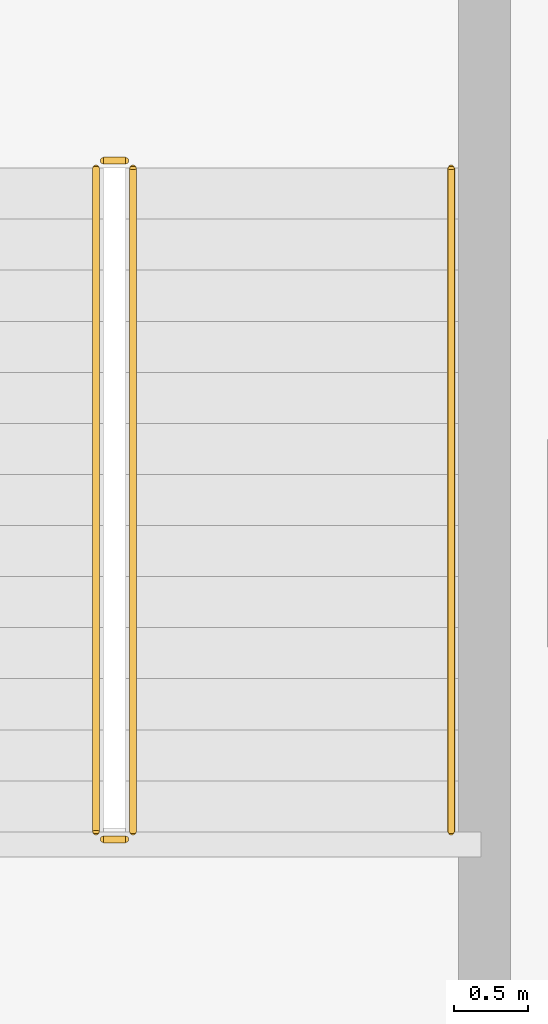
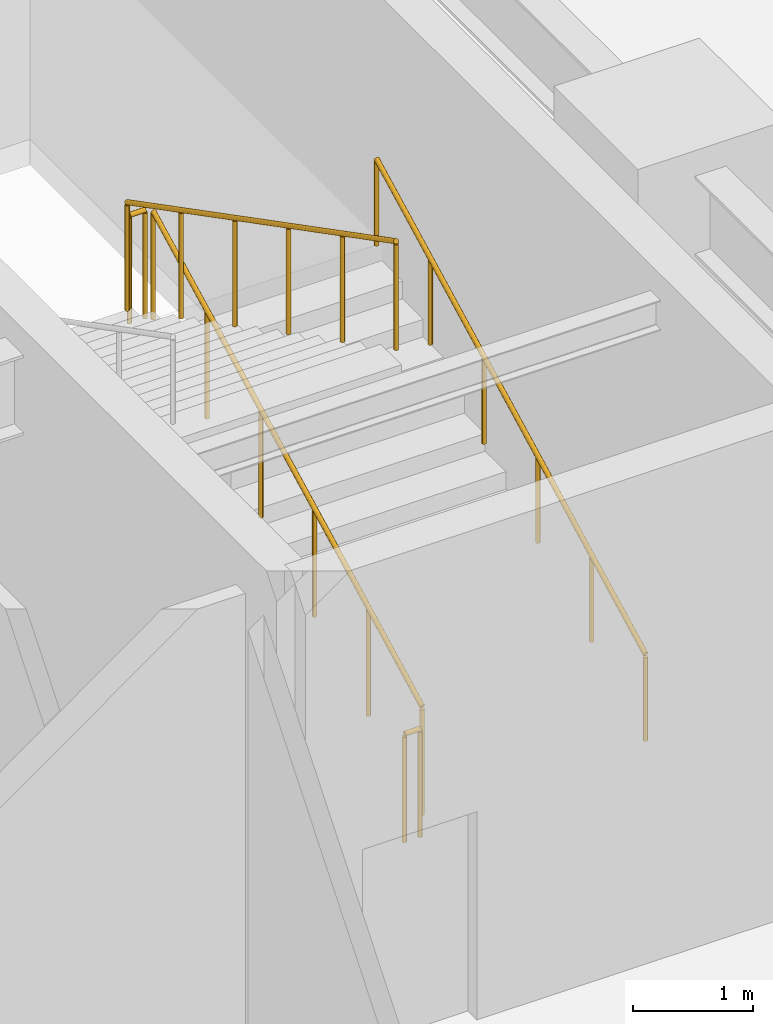
# One storey, part 35 of 39: 5 railings.
"""IFC4 building model written with IfcOpenShell, lengths in metres."""

from ifc_helpers import new_model, si_unit, direction, frame, origin, origin_2d, place, context, subcontext, project, spatial, circle, extrude, material, type_object, element, save


model = new_model("IFC4")

# Units and contexts
model_context = context("Model", 3, precision=1e-05, world=origin(), true_north=direction((0.0, 1.0)))
body_context = subcontext(model_context, "Body", "Model", "MODEL_VIEW")
ifc_project = project(units=[si_unit("LENGTHUNIT", "METRE"), si_unit("AREAUNIT", "SQUARE_METRE"), si_unit("VOLUMEUNIT", "CUBIC_METRE"), si_unit("PLANEANGLEUNIT", "RADIAN"), si_unit("MASSUNIT", "GRAM", prefix="KILO")], contexts=[model_context])

# Site, building, storey
site_placement = place(None, origin())
site = spatial("IfcSite", under=ifc_project, at=site_placement, CompositionType="ELEMENT")
building_placement = place(site_placement, origin())
building = spatial("IfcBuilding", under=site, at=building_placement, Name="Tolvann Quenvar Hotel", CompositionType="ELEMENT")
storey_placement = place(building_placement, frame((0.0, 0.0, 11.0)))
storey = spatial("IfcBuildingStorey", under=building, at=storey_placement, Name="L02", CompositionType="ELEMENT", Elevation=11.0)

# Railings
ifc_material = material(Name="Brushed 316 stainless steel balustrade and handrail", Category="steel")
railing_type_1 = type_object("IfcRailingType", Name="GUARDRAIL", PredefinedType="GUARDRAIL", material=ifc_material)
railing_1_placement = place(storey_placement, frame((52.89990234375, 22.449951171875, 0.178466796875)))
element("IfcRailing", 1, at=railing_1_placement, inside=storey, type_object=railing_type_1, Name="L02 ST-P4 stair guard 1", PredefinedType="GUARDRAIL", context=body_context, shape_type="SweptSolid", body=[
    extrude(circle(Radius=0.02392578125, at=origin_2d()), frame((0.0, 0.0, 1.09619140625), z_axis=(0.0, 0.888084280779, 0.459680661147), x_axis=(-1.0, 0.0, 0.0)), (0.0, 0.0, 1.0), 5.05029296875),
    extrude(circle(Radius=0.02099609375, at=origin_2d()), origin(), (0.0, 0.0, 1.0), 1.072021484375),
    extrude(circle(Radius=0.02099609375, at=origin_2d()), frame((0.0, 0.89697265625, 0.46435546875)), (0.0, 0.0, 1.0), 1.072021484375),
    extrude(circle(Radius=0.02099609375, at=origin_2d()), frame((0.0, 1.7939453125, 0.9287109375)), (0.0, 0.0, 1.0), 1.072021484375),
    extrude(circle(Radius=0.02099609375, at=origin_2d()), frame((0.0, 2.691162109375, 1.392822265625)), (0.0, 0.0, 1.0), 1.072021484375),
    extrude(circle(Radius=0.02099609375, at=origin_2d()), frame((0.0, 3.588134765625, 1.857177734375)), (0.0, 0.0, 1.0), 1.072021484375),
    extrude(circle(Radius=0.02099609375, at=origin_2d()), frame((0.0, 4.485107421875, 2.321533203125)), (0.0, 0.0, 1.0), 1.072021484375),
])
railing_2_placement = place(storey_placement, frame((52.85009765625, 26.985107421875, 2.5)))
element("IfcRailing", 2, at=railing_2_placement, inside=storey, type_object=railing_type_1, Name="L02 ST-P4 stair guard 2", PredefinedType="GUARDRAIL", context=body_context, shape_type="SweptSolid", body=[
    extrude(circle(Radius=0.02392578125, at=origin_2d()), frame((0.0, 0.0, 1.09619140625), z_axis=(-1.0, 0.0, 0.0), x_axis=(0.0, -1.0, 0.0)), (0.0, 0.0, 1.0), 0.150146484375),
    extrude(circle(Radius=0.02099609375, at=origin_2d()), origin(), (0.0, 0.0, 1.0), 1.072021484375),
    extrude(circle(Radius=0.02099609375, at=origin_2d()), frame((-0.150146484375, 0.0, 0.0)), (0.0, 0.0, 1.0), 1.072021484375),
])
railing_3_placement = place(storey_placement, frame((52.64990234375, 26.93505859375, 2.678466796875)))
element("IfcRailing", 3, at=railing_3_placement, inside=storey, type_object=railing_type_1, Name="L02 ST-P4 stair guard 3", PredefinedType="GUARDRAIL", context=body_context, shape_type="SweptSolid", body=[
    extrude(circle(Radius=0.02392578125, at=origin_2d()), frame((0.0, 0.0, 1.09619140625), z_axis=(0.0, -0.888084280779, 0.459680661147), x_axis=(1.0, 0.0, 0.0)), (0.0, 0.0, 1.0), 5.05029296875),
    extrude(circle(Radius=0.02099609375, at=origin_2d()), origin(), (0.0, 0.0, 1.0), 1.072021484375),
    extrude(circle(Radius=0.02099609375, at=origin_2d()), frame((0.0, -0.89697265625, 0.46435546875)), (0.0, 0.0, 1.0), 1.072021484375),
    extrude(circle(Radius=0.02099609375, at=origin_2d()), frame((0.0, -1.7939453125, 0.9287109375)), (0.0, 0.0, 1.0), 1.072021484375),
    extrude(circle(Radius=0.02099609375, at=origin_2d()), frame((0.0, -2.691162109375, 1.392822265625)), (0.0, 0.0, 1.0), 1.072021484375),
    extrude(circle(Radius=0.02099609375, at=origin_2d()), frame((0.0, -3.588134765625, 1.857177734375)), (0.0, 0.0, 1.0), 1.072021484375),
    extrude(circle(Radius=0.02099609375, at=origin_2d()), frame((0.0, -4.485107421875, 2.321533203125)), (0.0, 0.0, 1.0), 1.072021484375),
])
railing_4_placement = place(storey_placement, frame((52.85009765625, 22.39990234375, 0.0)))
element("IfcRailing", 4, at=railing_4_placement, inside=storey, type_object=railing_type_1, Name="L02 ST-P4 stair guard 4", PredefinedType="GUARDRAIL", context=body_context, shape_type="SweptSolid", body=[
    extrude(circle(Radius=0.02392578125, at=origin_2d()), frame((0.0, 0.0, 1.09619140625), z_axis=(-1.0, 0.0, 0.0), x_axis=(0.0, -1.0, 0.0)), (0.0, 0.0, 1.0), 0.150146484375),
    extrude(circle(Radius=0.02099609375, at=origin_2d()), origin(), (0.0, 0.0, 1.0), 1.072021484375),
    extrude(circle(Radius=0.02099609375, at=origin_2d()), frame((-0.150146484375, 0.0, 0.0)), (0.0, 0.0, 1.0), 1.072021484375),
])
railing_type_2 = type_object("IfcRailingType", Name="HANDRAIL", PredefinedType="HANDRAIL", material=ifc_material)
railing_5_placement = place(storey_placement, frame((55.050048828125, 22.449951171875, 0.178466796875)))
element("IfcRailing", 5, at=railing_5_placement, inside=storey, type_object=railing_type_2, Name="L02 ST-P4 stair handrail 1", PredefinedType="HANDRAIL", context=body_context, shape_type="SweptSolid", body=[
    extrude(circle(Radius=0.02392578125, at=origin_2d()), frame((0.0, 0.0, 0.8759765625), z_axis=(0.0, 0.888084280779, 0.459680661147), x_axis=(-1.0, 0.0, 0.0)), (0.0, 0.0, 1.0), 5.05029296875),
    extrude(circle(Radius=0.02099609375, at=origin_2d()), origin(), (0.0, 0.0, 1.0), 0.851806640625),
    extrude(circle(Radius=0.02099609375, at=origin_2d()), frame((0.0, 0.89697265625, 0.46435546875)), (0.0, 0.0, 1.0), 0.851806640625),
    extrude(circle(Radius=0.02099609375, at=origin_2d()), frame((0.0, 1.7939453125, 0.9287109375)), (0.0, 0.0, 1.0), 0.851806640625),
    extrude(circle(Radius=0.02099609375, at=origin_2d()), frame((0.0, 2.691162109375, 1.392822265625)), (0.0, 0.0, 1.0), 0.851806640625),
    extrude(circle(Radius=0.02099609375, at=origin_2d()), frame((0.0, 3.588134765625, 1.857177734375)), (0.0, 0.0, 1.0), 0.851806640625),
    extrude(circle(Radius=0.02099609375, at=origin_2d()), frame((0.0, 4.485107421875, 2.321533203125)), (0.0, 0.0, 1.0), 0.851806640625),
])

save(model, "model.ifc")
